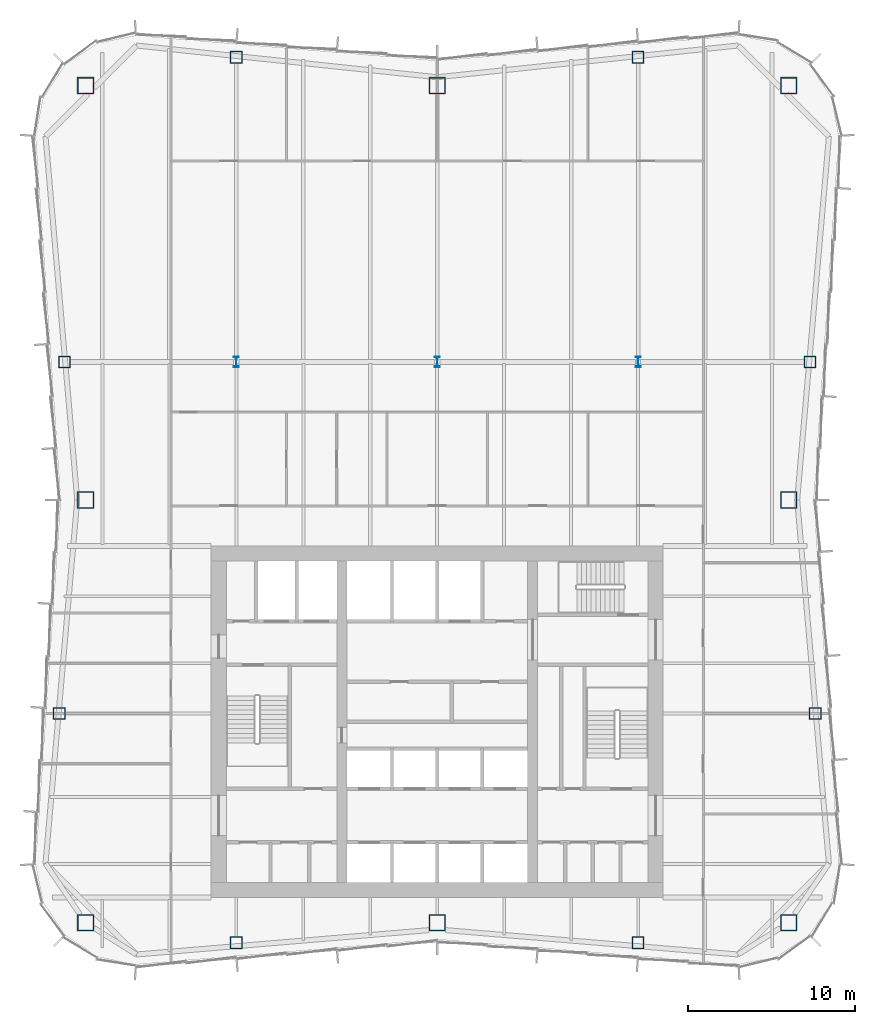
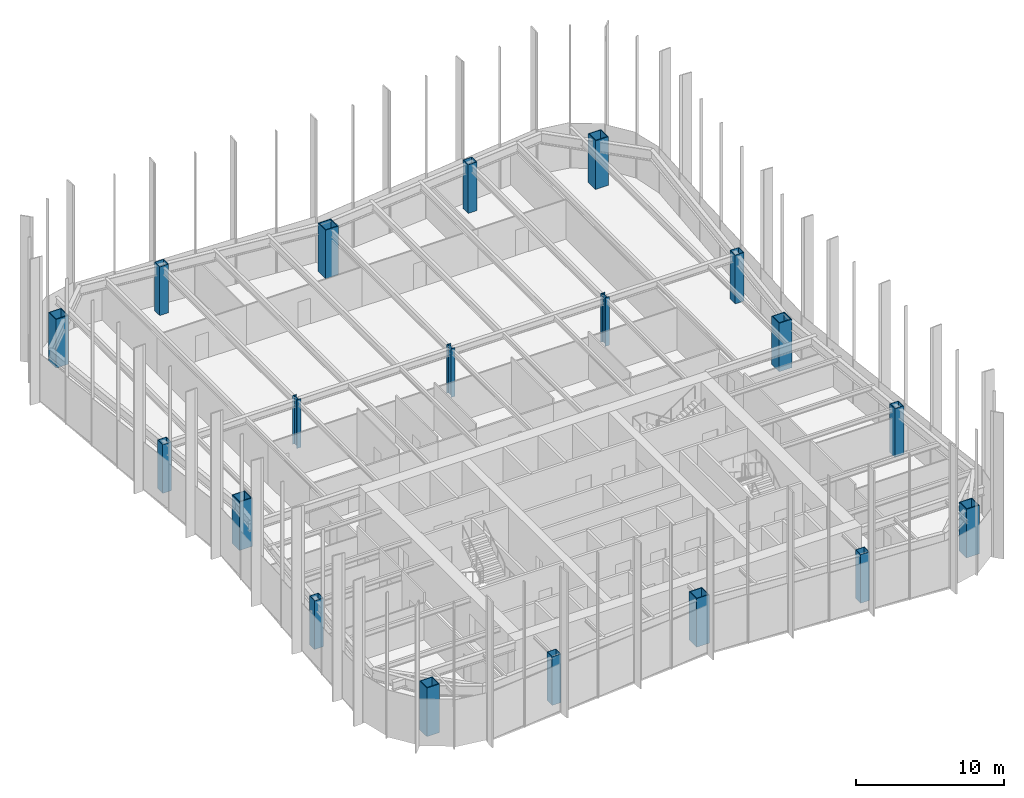
# One storey, part 1 of 13: 19 columns.
"""IFC4 building model written with IfcOpenShell, lengths in metres."""

from ifc_helpers import new_model, si_unit, direction, frame, origin, origin_2d, place, context, subcontext, project, spatial, hollow_rectangle, i_section, extrude, material, material_profile, profile_set, type_object, element, save


model = new_model("IFC4")

# Units and contexts
model_context = context("Model", 3, precision=1e-05, world=origin(), true_north=direction((0.0, 1.0)))
body_context = subcontext(model_context, "Body", "Model", "MODEL_VIEW")
ifc_project = project(units=[si_unit("LENGTHUNIT", "METRE"), si_unit("AREAUNIT", "SQUARE_METRE"), si_unit("VOLUMEUNIT", "CUBIC_METRE"), si_unit("PLANEANGLEUNIT", "RADIAN"), si_unit("MASSUNIT", "GRAM", prefix="KILO")], contexts=[model_context])

# Site, building, storey
site_placement = place(None, origin())
site = spatial("IfcSite", under=ifc_project, at=site_placement, CompositionType="ELEMENT")
building_placement = place(site_placement, origin())
building = spatial("IfcBuilding", under=site, at=building_placement, Name="Verdant Reach Tower", CompositionType="ELEMENT")
storey_placement = place(building_placement, frame((0.0, 0.0, 194.0)))
storey = spatial("IfcBuildingStorey", under=building, at=storey_placement, Name="L44", CompositionType="ELEMENT", Elevation=194.0)

# Columns
ifc_material = material(Name="Steel S460", Category="steel")
ifc_material_profile_1 = material_profile(ifc_material, i_section(OverallWidth=0.304931640625, OverallDepth=0.6201171875, WebThickness=0.02099609375, FlangeThickness=0.0400390625, FilletRadius=0.027099609375, at=origin_2d()), Name="HEM 600")
ifc_profile_set_1 = profile_set([ifc_material_profile_1], Name="Steel S460")
column_type_1 = type_object("IfcColumnType", Name="ST-COL-HEM600", PredefinedType="COLUMN", material=ifc_profile_set_1)
for number, where, z_axis, x_axis, name in (
    (1, (-12.0, 49.5, 0.0), (0.0, 0.0, 1.0), (1.0, 0.0, 0.0), "Interior column 1, L44"),
    (2, (0.0, 49.5, 0.0), (0.0, 0.0, 1.0), (1.0, 0.0, 0.0), "Interior column 2, L44"),
    (3, (12.0, 49.5, 0.0), (0.0, 0.0, 1.0), (1.0, 0.0, 0.0), "Interior column 3, L44"),
):
    element("IfcColumn", number, at=place(storey_placement, frame(where, z_axis=z_axis, x_axis=x_axis)), inside=storey, type_object=column_type_1, Name=name, PredefinedType="COLUMN", context=body_context, shape_type="SweptSolid", body=[
        extrude(i_section(OverallWidth=0.304931640625, OverallDepth=0.6201171875, WebThickness=0.02099609375, FlangeThickness=0.0400390625, FilletRadius=0.027099609375, at=origin_2d()), origin(), (0.0, 0.0, 1.0), 4.0),
    ])
ifc_material_profile_2 = material_profile(ifc_material, hollow_rectangle(XDim=1.0, YDim=1.0, WallThickness=0.06005859375, at=origin_2d()), Name="WB 1000x1000x60")
ifc_profile_set_2 = profile_set([ifc_material_profile_2], Name="Steel S460")
column_type_2 = type_object("IfcColumnType", Name="ST-COL-WB1000x1000x60", PredefinedType="COLUMN", material=ifc_profile_set_2)
for number, where, z_axis, x_axis, name in (
    (4, (-21.0, 66.0, 0.0), (0.0, 0.0, 1.0), (1.0, 0.0, 0.0), "Mega column north-west, L44"),
    (5, (0.0, 66.0, 0.0), (0.0, 0.0, 1.0), (1.0, 0.0, 0.0), "Mega column north, L44"),
    (6, (21.0, 66.0, 0.0), (0.0, 0.0, 1.0), (1.0, 0.0, 0.0), "Mega column north-east, L44"),
    (7, (21.0, 41.25, 0.0), (0.0, 0.0, 1.0), (1.0, 0.0, 0.0), "Mega column east, L44"),
    (8, (21.0, 16.0, 0.0), (0.0, 0.0, 1.0), (1.0, 0.0, 0.0), "Mega column south-east, L44"),
    (9, (0.0, 16.0, 0.0), (0.0, 0.0, 1.0), (1.0, 0.0, 0.0), "Mega column south, L44"),
    (10, (-21.0, 16.0, 0.0), (0.0, 0.0, 1.0), (1.0, 0.0, 0.0), "Mega column south-west, L44"),
    (11, (-21.0, 41.25, 0.0), (0.0, 0.0, 1.0), (1.0, 0.0, 0.0), "Mega column west, L44"),
):
    element("IfcColumn", number, at=place(storey_placement, frame(where, z_axis=z_axis, x_axis=x_axis)), inside=storey, type_object=column_type_2, Name=name, PredefinedType="COLUMN", context=body_context, shape_type="SweptSolid", body=[
        extrude(hollow_rectangle(XDim=1.0, YDim=1.0, WallThickness=0.06005859375, at=origin_2d()), origin(), (0.0, 0.0, 1.0), 4.0),
    ])
ifc_material_profile_3 = material_profile(ifc_material, hollow_rectangle(XDim=0.699951171875, YDim=0.699951171875, WallThickness=0.030029296875, at=origin_2d()), Name="WB 700x700x30")
ifc_profile_set_3 = profile_set([ifc_material_profile_3], Name="Steel S460")
column_type_3 = type_object("IfcColumnType", Name="ST-COL-WB700x700x30", PredefinedType="COLUMN", material=ifc_profile_set_3)
for number, where, z_axis, x_axis, name in (
    (12, (-12.0, 67.699951171875, 0.0), (0.0, 0.0, 1.0), (1.0, 0.0, 0.0), "Perimeter column north 1, L44"),
    (13, (12.0, 67.699951171875, 0.0), (0.0, 0.0, 1.0), (1.0, 0.0, 0.0), "Perimeter column north 2, L44"),
    (14, (-12.0, 14.800048828125, 0.0), (0.0, 0.0, 1.0), (1.0, 0.0, 0.0), "Perimeter column south 1, L44"),
    (15, (12.0, 14.800048828125, 0.0), (0.0, 0.0, 1.0), (1.0, 0.0, 0.0), "Perimeter column south 2, L44"),
    (16, (22.579345703125, 28.5, 0.0), (0.0, 0.0, 1.0), (1.0, 0.0, 0.0), "Perimeter column east 1, L44"),
    (17, (22.26904296875, 49.5, 0.0), (0.0, 0.0, 1.0), (1.0, 0.0, 0.0), "Perimeter column east 2, L44"),
    (18, (-22.579345703125, 28.5, 0.0), (0.0, 0.0, 1.0), (1.0, 0.0, 0.0), "Perimeter column west 1, L44"),
    (19, (-22.26904296875, 49.5, 0.0), (0.0, 0.0, 1.0), (1.0, 0.0, 0.0), "Perimeter column west 2, L44"),
):
    element("IfcColumn", number, at=place(storey_placement, frame(where, z_axis=z_axis, x_axis=x_axis)), inside=storey, type_object=column_type_3, Name=name, PredefinedType="COLUMN", context=body_context, shape_type="SweptSolid", body=[
        extrude(hollow_rectangle(XDim=0.699951171875, YDim=0.699951171875, WallThickness=0.030029296875, at=origin_2d()), origin(), (0.0, 0.0, 1.0), 4.0),
    ])

save(model, "model.ifc")
